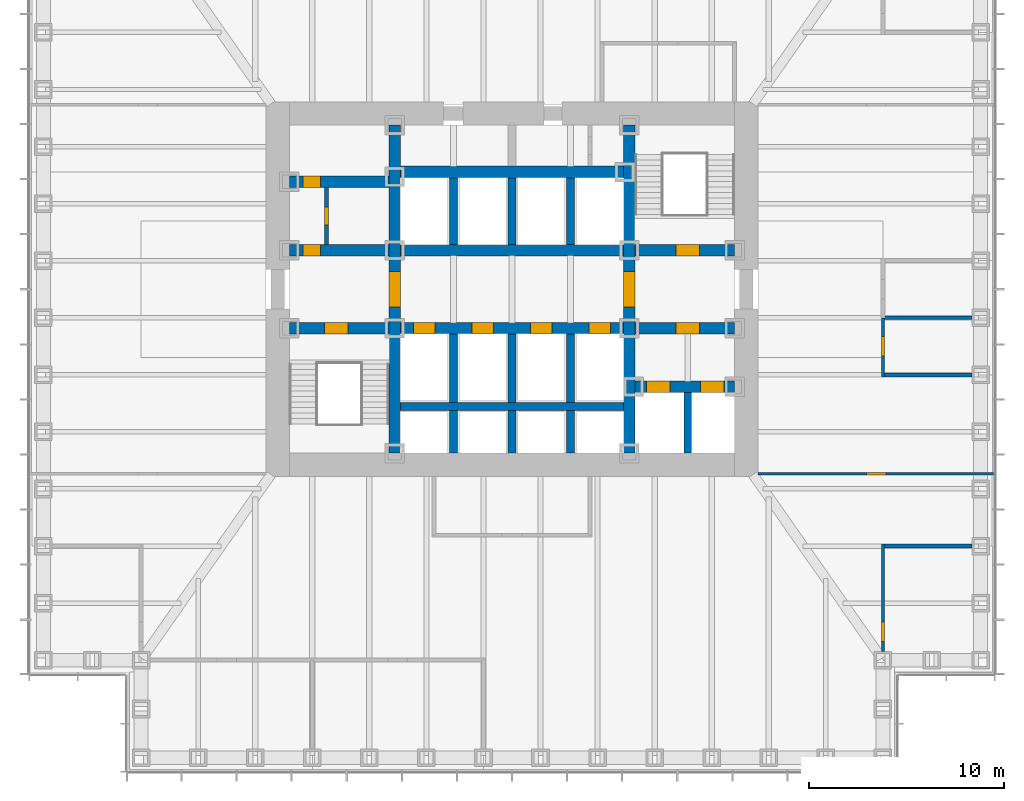
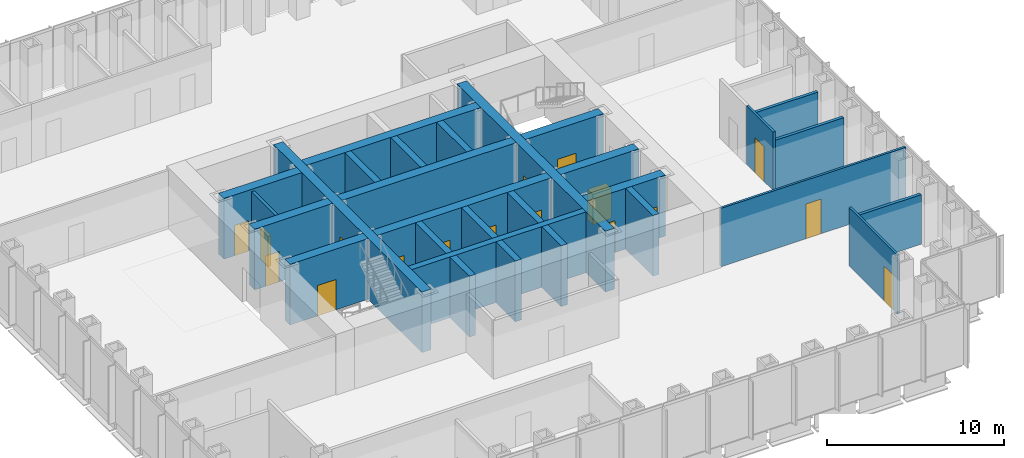
# One storey, part 9 of 17: 29 walls, 17 doors, 17 openings.
"""IFC4 building model written with IfcOpenShell, lengths in metres."""

from ifc_helpers import new_model, si_unit, direction, frame, frame_2d, origin, place, context, subcontext, project, spatial, rectangle, extrude, material, layer, layer_set, type_object, element, fill, save


model = new_model("IFC4")

# Units and contexts
model_context = context("Model", 3, precision=1e-05, world=origin(), true_north=direction((0.0, 1.0)))
body_context = subcontext(model_context, "Body", "Model", "MODEL_VIEW")
ifc_project = project(units=[si_unit("LENGTHUNIT", "METRE"), si_unit("AREAUNIT", "SQUARE_METRE"), si_unit("VOLUMEUNIT", "CUBIC_METRE"), si_unit("PLANEANGLEUNIT", "RADIAN"), si_unit("MASSUNIT", "GRAM", prefix="KILO")], contexts=[model_context])

# Site, building, storey
site_placement = place(None, origin())
site = spatial("IfcSite", under=ifc_project, at=site_placement, CompositionType="ELEMENT")
building_placement = place(site_placement, origin())
building = spatial("IfcBuilding", under=site, at=building_placement, Name="Daluyong Arena Tower", CompositionType="ELEMENT")
storey_placement = place(building_placement, frame((0.0, 0.0, 60.10009765625)))
storey = spatial("IfcBuildingStorey", under=building, at=storey_placement, Name="L12", CompositionType="ELEMENT", Elevation=60.10009765625)

# Wall, opening, door
ifc_material_1 = material(Name="Concrete fc' 60 MPa", Category="concrete")
ifc_layer_1 = layer(ifc_material_1, 0.60009765625)
ifc_layer_set_1 = layer_set([ifc_layer_1], Name="Concrete fc' 60 MPa")
wall_type_1 = type_object("IfcWallType", Name="Core inner wall 600", PredefinedType="SHEAR", material=ifc_layer_set_1)
wall_1_placement = place(storey_placement, frame((50.0, 71.60009765625, 0.0), z_axis=(0.0, 0.0, 1.0), x_axis=(0.0, 1.0, 0.0)))
wall_1 = element("IfcWall", 1, at=wall_1_placement, inside=storey, type_object=wall_type_1, Name="core inner wall at L12", PredefinedType="SHEAR", context=body_context, shape_type="SweptSolid", body=[
    extrude(rectangle(XDim=16.7998046875, YDim=0.60009765625, at=frame_2d((8.39990234375, 0.0))), origin(), (0.0, 0.0, 1.0), 4.199951171875),
])
opening_1_placement = place(wall_1_placement, frame((7.5, 0.0, 0.0)))
opening_1 = element("IfcOpeningElement", 2, at=opening_1_placement, cuts=wall_1, Name="Opening 12011", PredefinedType="OPENING", context=body_context, shape_type="SweptSolid", body=[
    extrude(rectangle(XDim=1.800048828125, YDim=2.39990234375, at=frame_2d((0.89990234375, 1.199951171875))), frame((0.0, 0.31005859375, 0.0), z_axis=(0.0, -1.0, 0.0), x_axis=(1.0, 0.0, 0.0)), (0.0, 0.0, 1.0), 0.6201171875),
])
ifc_material_2 = material(Name="Steel door, fire rated", Category="steel")
door_type_1 = type_object("IfcDoorType", Name="Lift lobby opening door 1800", OperationType="DOUBLE_DOOR_SINGLE_SWING", PredefinedType="DOOR", material=ifc_material_2)
door_1_placement = place(opening_1_placement, origin())
door_1 = element("IfcDoor", 3, at=door_1_placement, inside=storey, type_object=door_type_1, Name="lift lobby door west 12011", OperationType="DOUBLE_DOOR_SINGLE_SWING", OverallHeight=2.39990234375, OverallWidth=1.800048828125, PredefinedType="DOOR", context=body_context, shape_type="SweptSolid", body=[
    extrude(rectangle(XDim=1.800048828125, YDim=2.39990234375, at=frame_2d((0.89990234375, 1.199951171875))), frame((0.0, 0.2998046875, 0.0), z_axis=(0.0, -1.0, 0.0), x_axis=(1.0, 0.0, 0.0)), (0.0, 0.0, 1.0), 0.599609375),
])
fill(opening_1, door_1)

wall_2_placement = place(storey_placement, frame((62.0, 71.60009765625, 0.0), z_axis=(0.0, 0.0, 1.0), x_axis=(0.0, 1.0, 0.0)))
wall_2 = element("IfcWall", 4, at=wall_2_placement, inside=storey, type_object=wall_type_1, Name="core inner wall at L12", PredefinedType="SHEAR", context=body_context, shape_type="SweptSolid", body=[
    extrude(rectangle(XDim=16.7998046875, YDim=0.60009765625, at=frame_2d((8.39990234375, 0.0))), origin(), (0.0, 0.0, 1.0), 4.199951171875),
])
opening_2_placement = place(wall_2_placement, frame((7.5, 0.0, 0.0)))
opening_2 = element("IfcOpeningElement", 5, at=opening_2_placement, cuts=wall_2, Name="Opening 12012", PredefinedType="OPENING", context=body_context, shape_type="SweptSolid", body=[
    extrude(rectangle(XDim=1.800048828125, YDim=2.39990234375, at=frame_2d((0.89990234375, 1.199951171875))), frame((0.0, 0.31005859375, 0.0), z_axis=(0.0, -1.0, 0.0), x_axis=(1.0, 0.0, 0.0)), (0.0, 0.0, 1.0), 0.6201171875),
])
door_2_placement = place(opening_2_placement, origin())
door_2 = element("IfcDoor", 6, at=door_2_placement, inside=storey, type_object=door_type_1, Name="lift lobby door east 12012", OperationType="DOUBLE_DOOR_SINGLE_SWING", OverallHeight=2.39990234375, OverallWidth=1.800048828125, PredefinedType="DOOR", context=body_context, shape_type="SweptSolid", body=[
    extrude(rectangle(XDim=1.800048828125, YDim=2.39990234375, at=frame_2d((0.89990234375, 1.199951171875))), frame((0.0, 0.2998046875, 0.0), z_axis=(0.0, -1.0, 0.0), x_axis=(1.0, 0.0, 0.0)), (0.0, 0.0, 1.0), 0.599609375),
])
fill(opening_2, door_2)

wall_3_placement = place(storey_placement, frame((44.60009765625, 78.0, 0.0), z_axis=(0.0, 0.0, 1.0), x_axis=(1.0, 0.0, 0.0)))
wall_3 = element("IfcWall", 7, at=wall_3_placement, inside=storey, type_object=wall_type_1, Name="core inner wall at L12", PredefinedType="SHEAR", context=body_context, shape_type="SweptSolid", body=[
    extrude(rectangle(XDim=5.099853515625, YDim=0.60009765625, at=frame_2d((2.5498046875, 0.0))), origin(), (0.0, 0.0, 1.0), 4.199951171875),
])
opening_3_placement = place(wall_3_placement, frame((1.800048828125, 0.0, 0.0)))
opening_3 = element("IfcOpeningElement", 8, at=opening_3_placement, cuts=wall_3, Name="Opening 12007", PredefinedType="OPENING", context=body_context, shape_type="SweptSolid", body=[
    extrude(rectangle(XDim=1.199951171875, YDim=2.10009765625, at=frame_2d((0.60009765625, 1.050048828125))), frame((0.0, 0.31005859375, 0.0), z_axis=(0.0, -1.0, 0.0), x_axis=(1.0, 0.0, 0.0)), (0.0, 0.0, 1.0), 0.6201171875),
])
ifc_material_3 = material(Name="Steel door, fire rated", Category="steel")
door_type_2 = type_object("IfcDoorType", Name="Stair door 1200", OperationType="SINGLE_SWING_LEFT", PredefinedType="DOOR", material=ifc_material_3)
door_3_placement = place(opening_3_placement, origin())
door_3 = element("IfcDoor", 9, at=door_3_placement, inside=storey, type_object=door_type_2, Name="stair A door 12007", OperationType="SINGLE_SWING_LEFT", OverallHeight=2.10009765625, OverallWidth=1.199951171875, PredefinedType="DOOR", context=body_context, shape_type="SweptSolid", body=[
    extrude(rectangle(XDim=1.199951171875, YDim=2.10009765625, at=frame_2d((0.60009765625, 1.050048828125))), frame((0.0, 0.2998046875, 0.0), z_axis=(0.0, -1.0, 0.0), x_axis=(1.0, 0.0, 0.0)), (0.0, 0.0, 1.0), 0.599609375),
])
fill(opening_3, door_3)

wall_4_placement = place(storey_placement, frame((44.60009765625, 82.0, 0.0), z_axis=(0.0, 0.0, 1.0), x_axis=(1.0, 0.0, 0.0)))
wall_4 = element("IfcWall", 10, at=wall_4_placement, inside=storey, type_object=wall_type_1, Name="core inner wall at L12", PredefinedType="SHEAR", context=body_context, shape_type="SweptSolid", body=[
    extrude(rectangle(XDim=5.099853515625, YDim=0.60009765625, at=frame_2d((2.5498046875, 0.0))), origin(), (0.0, 0.0, 1.0), 4.199951171875),
])
opening_4_placement = place(wall_4_placement, frame((0.699951171875, 0.0, 0.0)))
opening_4 = element("IfcOpeningElement", 11, at=opening_4_placement, cuts=wall_4, Name="Opening 12001", PredefinedType="OPENING", context=body_context, shape_type="SweptSolid", body=[
    extrude(rectangle(XDim=0.89990234375, YDim=2.10009765625, at=frame_2d((0.449951171875, 1.050048828125))), frame((0.0, 0.31005859375, 0.0), z_axis=(0.0, -1.0, 0.0), x_axis=(1.0, 0.0, 0.0)), (0.0, 0.0, 1.0), 0.6201171875),
])
ifc_material_4 = material(Name="Steel door, fire rated", Category="steel")
door_type_3 = type_object("IfcDoorType", Name="Core room door 900", OperationType="SINGLE_SWING_LEFT", PredefinedType="DOOR", material=ifc_material_4)
door_4_placement = place(opening_4_placement, origin())
door_4 = element("IfcDoor", 12, at=door_4_placement, inside=storey, type_object=door_type_3, Name="toilet lobby door 12001", OperationType="SINGLE_SWING_LEFT", OverallHeight=2.10009765625, OverallWidth=0.89990234375, PredefinedType="DOOR", context=body_context, shape_type="SweptSolid", body=[
    extrude(rectangle(XDim=0.89990234375, YDim=2.10009765625, at=frame_2d((0.449951171875, 1.050048828125))), frame((0.0, 0.2998046875, 0.0), z_axis=(0.0, -1.0, 0.0), x_axis=(1.0, 0.0, 0.0)), (0.0, 0.0, 1.0), 0.599609375),
])
fill(opening_4, door_4)

wall_5_placement = place(storey_placement, frame((44.60009765625, 85.5, 0.0), z_axis=(0.0, 0.0, 1.0), x_axis=(1.0, 0.0, 0.0)))
wall_5 = element("IfcWall", 13, at=wall_5_placement, inside=storey, type_object=wall_type_1, Name="core inner wall at L12", PredefinedType="SHEAR", context=body_context, shape_type="SweptSolid", body=[
    extrude(rectangle(XDim=5.099853515625, YDim=0.60009765625, at=frame_2d((2.5498046875, 0.0))), origin(), (0.0, 0.0, 1.0), 4.199951171875),
])
opening_5_placement = place(wall_5_placement, frame((0.699951171875, 0.0, 0.0)))
opening_5 = element("IfcOpeningElement", 14, at=opening_5_placement, cuts=wall_5, Name="Opening 12003", PredefinedType="OPENING", context=body_context, shape_type="SweptSolid", body=[
    extrude(rectangle(XDim=0.89990234375, YDim=2.10009765625, at=frame_2d((0.449951171875, 1.050048828125))), frame((0.0, 0.31005859375, 0.0), z_axis=(0.0, -1.0, 0.0), x_axis=(1.0, 0.0, 0.0)), (0.0, 0.0, 1.0), 0.6201171875),
])
ifc_material_5 = material(Name="Timber door", Category="wood")
door_type_4 = type_object("IfcDoorType", Name="Toilet door 900", OperationType="SINGLE_SWING_RIGHT", PredefinedType="DOOR", material=ifc_material_5)
door_5_placement = place(opening_5_placement, origin())
door_5 = element("IfcDoor", 15, at=door_5_placement, inside=storey, type_object=door_type_4, Name="female toilet door 12003", OperationType="SINGLE_SWING_RIGHT", OverallHeight=2.10009765625, OverallWidth=0.89990234375, PredefinedType="DOOR", context=body_context, shape_type="SweptSolid", body=[
    extrude(rectangle(XDim=0.89990234375, YDim=2.10009765625, at=frame_2d((0.449951171875, 1.050048828125))), frame((0.0, 0.2998046875, 0.0), z_axis=(0.0, -1.0, 0.0), x_axis=(1.0, 0.0, 0.0)), (0.0, 0.0, 1.0), 0.599609375),
])
fill(opening_5, door_5)

# Wall, openings, doors
wall_6_placement = place(storey_placement, frame((62.300048828125, 75.0, 0.0), z_axis=(0.0, 0.0, 1.0), x_axis=(1.0, 0.0, 0.0)))
wall_6 = element("IfcWall", 16, at=wall_6_placement, inside=storey, type_object=wall_type_1, Name="core inner wall at L12", PredefinedType="SHEAR", context=body_context, shape_type="SweptSolid", body=[
    extrude(rectangle(XDim=5.099853515625, YDim=0.60009765625, at=frame_2d((2.5498046875, 0.0))), origin(), (0.0, 0.0, 1.0), 4.199951171875),
])
opening_6_placement = place(wall_6_placement, frame((0.60009765625, 0.0, 0.0)))
opening_6 = element("IfcOpeningElement", 17, at=opening_6_placement, cuts=wall_6, Name="Opening 12018", PredefinedType="OPENING", context=body_context, shape_type="SweptSolid", body=[
    extrude(rectangle(XDim=1.199951171875, YDim=2.199951171875, at=frame_2d((0.60009765625, 1.10009765625))), frame((0.0, 0.31005859375, 0.0), z_axis=(0.0, -1.0, 0.0), x_axis=(1.0, 0.0, 0.0)), (0.0, 0.0, 1.0), 0.6201171875),
])
opening_7_placement = place(wall_6_placement, frame((3.35009765625, 0.0, 0.0)))
opening_7 = element("IfcOpeningElement", 18, at=opening_7_placement, cuts=wall_6, Name="Opening 12019", PredefinedType="OPENING", context=body_context, shape_type="SweptSolid", body=[
    extrude(rectangle(XDim=1.199951171875, YDim=2.199951171875, at=frame_2d((0.60009765625, 1.10009765625))), frame((0.0, 0.31005859375, 0.0), z_axis=(0.0, -1.0, 0.0), x_axis=(1.0, 0.0, 0.0)), (0.0, 0.0, 1.0), 0.6201171875),
])
ifc_material_6 = material(Name="Steel door, fire rated", Category="steel")
door_type_5 = type_object("IfcDoorType", Name="Firefighting lift landing door 1200", OperationType="SLIDING_TO_LEFT", PredefinedType="DOOR", material=ifc_material_6)
door_6_placement = place(opening_6_placement, origin())
door_6 = element("IfcDoor", 19, at=door_6_placement, inside=storey, type_object=door_type_5, Name="firefighting lift landing door F1 12018", OperationType="SLIDING_TO_LEFT", OverallHeight=2.199951171875, OverallWidth=1.199951171875, PredefinedType="DOOR", context=body_context, shape_type="SweptSolid", body=[
    extrude(rectangle(XDim=1.199951171875, YDim=2.199951171875, at=frame_2d((0.60009765625, 1.10009765625))), frame((0.0, 0.2998046875, 0.0), z_axis=(0.0, -1.0, 0.0), x_axis=(1.0, 0.0, 0.0)), (0.0, 0.0, 1.0), 0.599609375),
])
fill(opening_6, door_6)
door_7_placement = place(opening_7_placement, origin())
door_7 = element("IfcDoor", 20, at=door_7_placement, inside=storey, type_object=door_type_5, Name="firefighting lift landing door F2 12019", OperationType="SLIDING_TO_LEFT", OverallHeight=2.199951171875, OverallWidth=1.199951171875, PredefinedType="DOOR", context=body_context, shape_type="SweptSolid", body=[
    extrude(rectangle(XDim=1.199951171875, YDim=2.199951171875, at=frame_2d((0.60009765625, 1.10009765625))), frame((0.0, 0.2998046875, 0.0), z_axis=(0.0, -1.0, 0.0), x_axis=(1.0, 0.0, 0.0)), (0.0, 0.0, 1.0), 0.599609375),
])
fill(opening_7, door_7)

# Wall, opening, door
wall_7_placement = place(storey_placement, frame((62.300048828125, 78.0, 0.0), z_axis=(0.0, 0.0, 1.0), x_axis=(1.0, 0.0, 0.0)))
wall_7 = element("IfcWall", 21, at=wall_7_placement, inside=storey, type_object=wall_type_1, Name="core inner wall at L12", PredefinedType="SHEAR", context=body_context, shape_type="SweptSolid", body=[
    extrude(rectangle(XDim=5.099853515625, YDim=0.60009765625, at=frame_2d((2.5498046875, 0.0))), origin(), (0.0, 0.0, 1.0), 4.199951171875),
])
opening_8_placement = place(wall_7_placement, frame((2.10009765625, 0.0, 0.0)))
opening_8 = element("IfcOpeningElement", 22, at=opening_8_placement, cuts=wall_7, Name="Opening 12013", PredefinedType="OPENING", context=body_context, shape_type="SweptSolid", body=[
    extrude(rectangle(XDim=1.199951171875, YDim=2.10009765625, at=frame_2d((0.60009765625, 1.050048828125))), frame((0.0, 0.31005859375, 0.0), z_axis=(0.0, -1.0, 0.0), x_axis=(1.0, 0.0, 0.0)), (0.0, 0.0, 1.0), 0.6201171875),
])
ifc_material_7 = material(Name="Steel door, fire rated", Category="steel")
door_type_6 = type_object("IfcDoorType", Name="Firefighting lobby door 1200", OperationType="SINGLE_SWING_RIGHT", PredefinedType="DOOR", material=ifc_material_7)
door_8_placement = place(opening_8_placement, origin())
door_8 = element("IfcDoor", 23, at=door_8_placement, inside=storey, type_object=door_type_6, Name="firefighting lobby door 12013", OperationType="SINGLE_SWING_RIGHT", OverallHeight=2.10009765625, OverallWidth=1.199951171875, PredefinedType="DOOR", context=body_context, shape_type="SweptSolid", body=[
    extrude(rectangle(XDim=1.199951171875, YDim=2.10009765625, at=frame_2d((0.60009765625, 1.050048828125))), frame((0.0, 0.2998046875, 0.0), z_axis=(0.0, -1.0, 0.0), x_axis=(1.0, 0.0, 0.0)), (0.0, 0.0, 1.0), 0.599609375),
])
fill(opening_8, door_8)

wall_8_placement = place(storey_placement, frame((62.300048828125, 82.0, 0.0), z_axis=(0.0, 0.0, 1.0), x_axis=(1.0, 0.0, 0.0)))
wall_8 = element("IfcWall", 24, at=wall_8_placement, inside=storey, type_object=wall_type_1, Name="core inner wall at L12", PredefinedType="SHEAR", context=body_context, shape_type="SweptSolid", body=[
    extrude(rectangle(XDim=5.099853515625, YDim=0.60009765625, at=frame_2d((2.5498046875, 0.0))), origin(), (0.0, 0.0, 1.0), 4.199951171875),
])
opening_9_placement = place(wall_8_placement, frame((2.10009765625, 0.0, 0.0)))
opening_9 = element("IfcOpeningElement", 25, at=opening_9_placement, cuts=wall_8, Name="Opening 12008", PredefinedType="OPENING", context=body_context, shape_type="SweptSolid", body=[
    extrude(rectangle(XDim=1.199951171875, YDim=2.10009765625, at=frame_2d((0.60009765625, 1.050048828125))), frame((0.0, 0.31005859375, 0.0), z_axis=(0.0, -1.0, 0.0), x_axis=(1.0, 0.0, 0.0)), (0.0, 0.0, 1.0), 0.6201171875),
])
door_9_placement = place(opening_9_placement, origin())
door_9 = element("IfcDoor", 26, at=door_9_placement, inside=storey, type_object=door_type_2, Name="stair B door 12008", OperationType="SINGLE_SWING_LEFT", OverallHeight=2.10009765625, OverallWidth=1.199951171875, PredefinedType="DOOR", context=body_context, shape_type="SweptSolid", body=[
    extrude(rectangle(XDim=1.199951171875, YDim=2.10009765625, at=frame_2d((0.60009765625, 1.050048828125))), frame((0.0, 0.2998046875, 0.0), z_axis=(0.0, -1.0, 0.0), x_axis=(1.0, 0.0, 0.0)), (0.0, 0.0, 1.0), 0.599609375),
])
fill(opening_9, door_9)

# Wall, openings, doors
wall_9_placement = place(storey_placement, frame((50.300048828125, 78.0, 0.0), z_axis=(0.0, 0.0, 1.0), x_axis=(1.0, 0.0, 0.0)))
wall_9 = element("IfcWall", 27, at=wall_9_placement, inside=storey, type_object=wall_type_1, Name="core inner wall at L12", PredefinedType="SHEAR", context=body_context, shape_type="SweptSolid", body=[
    extrude(rectangle(XDim=11.39990234375, YDim=0.60009765625, at=frame_2d((5.699951171875, 0.0))), origin(), (0.0, 0.0, 1.0), 4.199951171875),
])
opening_10_placement = place(wall_9_placement, frame((0.64990234375, 0.0, 0.0)))
opening_10 = element("IfcOpeningElement", 28, at=opening_10_placement, cuts=wall_9, Name="Opening 12014", PredefinedType="OPENING", context=body_context, shape_type="SweptSolid", body=[
    extrude(rectangle(XDim=1.10009765625, YDim=2.199951171875, at=frame_2d((0.550048828125, 1.10009765625))), frame((0.0, 0.31005859375, 0.0), z_axis=(0.0, -1.0, 0.0), x_axis=(1.0, 0.0, 0.0)), (0.0, 0.0, 1.0), 0.6201171875),
])
opening_11_placement = place(wall_9_placement, frame((3.64990234375, 0.0, 0.0)))
opening_11 = element("IfcOpeningElement", 29, at=opening_11_placement, cuts=wall_9, Name="Opening 12015", PredefinedType="OPENING", context=body_context, shape_type="SweptSolid", body=[
    extrude(rectangle(XDim=1.10009765625, YDim=2.199951171875, at=frame_2d((0.550048828125, 1.10009765625))), frame((0.0, 0.31005859375, 0.0), z_axis=(0.0, -1.0, 0.0), x_axis=(1.0, 0.0, 0.0)), (0.0, 0.0, 1.0), 0.6201171875),
])
opening_12_placement = place(wall_9_placement, frame((6.64990234375, 0.0, 0.0)))
opening_12 = element("IfcOpeningElement", 30, at=opening_12_placement, cuts=wall_9, Name="Opening 12016", PredefinedType="OPENING", context=body_context, shape_type="SweptSolid", body=[
    extrude(rectangle(XDim=1.10009765625, YDim=2.199951171875, at=frame_2d((0.550048828125, 1.10009765625))), frame((0.0, 0.31005859375, 0.0), z_axis=(0.0, -1.0, 0.0), x_axis=(1.0, 0.0, 0.0)), (0.0, 0.0, 1.0), 0.6201171875),
])
opening_13_placement = place(wall_9_placement, frame((9.64990234375, 0.0, 0.0)))
opening_13 = element("IfcOpeningElement", 31, at=opening_13_placement, cuts=wall_9, Name="Opening 12017", PredefinedType="OPENING", context=body_context, shape_type="SweptSolid", body=[
    extrude(rectangle(XDim=1.10009765625, YDim=2.199951171875, at=frame_2d((0.550048828125, 1.10009765625))), frame((0.0, 0.31005859375, 0.0), z_axis=(0.0, -1.0, 0.0), x_axis=(1.0, 0.0, 0.0)), (0.0, 0.0, 1.0), 0.6201171875),
])
ifc_material_8 = material(Name="Steel door, fire rated", Category="steel")
door_type_7 = type_object("IfcDoorType", Name="Lift landing door 1100", OperationType="SLIDING_TO_LEFT", PredefinedType="DOOR", material=ifc_material_8)
door_10_placement = place(opening_10_placement, origin())
door_10 = element("IfcDoor", 32, at=door_10_placement, inside=storey, type_object=door_type_7, Name="lift landing door A1 12014", OperationType="SLIDING_TO_LEFT", OverallHeight=2.199951171875, OverallWidth=1.10009765625, PredefinedType="DOOR", context=body_context, shape_type="SweptSolid", body=[
    extrude(rectangle(XDim=1.10009765625, YDim=2.199951171875, at=frame_2d((0.550048828125, 1.10009765625))), frame((0.0, 0.2998046875, 0.0), z_axis=(0.0, -1.0, 0.0), x_axis=(1.0, 0.0, 0.0)), (0.0, 0.0, 1.0), 0.599609375),
])
fill(opening_10, door_10)
door_11_placement = place(opening_11_placement, origin())
door_11 = element("IfcDoor", 33, at=door_11_placement, inside=storey, type_object=door_type_7, Name="lift landing door A2 12015", OperationType="SLIDING_TO_LEFT", OverallHeight=2.199951171875, OverallWidth=1.10009765625, PredefinedType="DOOR", context=body_context, shape_type="SweptSolid", body=[
    extrude(rectangle(XDim=1.10009765625, YDim=2.199951171875, at=frame_2d((0.550048828125, 1.10009765625))), frame((0.0, 0.2998046875, 0.0), z_axis=(0.0, -1.0, 0.0), x_axis=(1.0, 0.0, 0.0)), (0.0, 0.0, 1.0), 0.599609375),
])
fill(opening_11, door_11)
door_12_placement = place(opening_12_placement, origin())
door_12 = element("IfcDoor", 34, at=door_12_placement, inside=storey, type_object=door_type_7, Name="lift landing door A3 12016", OperationType="SLIDING_TO_LEFT", OverallHeight=2.199951171875, OverallWidth=1.10009765625, PredefinedType="DOOR", context=body_context, shape_type="SweptSolid", body=[
    extrude(rectangle(XDim=1.10009765625, YDim=2.199951171875, at=frame_2d((0.550048828125, 1.10009765625))), frame((0.0, 0.2998046875, 0.0), z_axis=(0.0, -1.0, 0.0), x_axis=(1.0, 0.0, 0.0)), (0.0, 0.0, 1.0), 0.599609375),
])
fill(opening_12, door_12)
door_13_placement = place(opening_13_placement, origin())
door_13 = element("IfcDoor", 35, at=door_13_placement, inside=storey, type_object=door_type_7, Name="lift landing door A4 12017", OperationType="SLIDING_TO_LEFT", OverallHeight=2.199951171875, OverallWidth=1.10009765625, PredefinedType="DOOR", context=body_context, shape_type="SweptSolid", body=[
    extrude(rectangle(XDim=1.10009765625, YDim=2.199951171875, at=frame_2d((0.550048828125, 1.10009765625))), frame((0.0, 0.2998046875, 0.0), z_axis=(0.0, -1.0, 0.0), x_axis=(1.0, 0.0, 0.0)), (0.0, 0.0, 1.0), 0.599609375),
])
fill(opening_13, door_13)

# Walls
for number, where, z_axis, x_axis, name in (
    (36, (50.300048828125, 82.0, 0.0), (0.0, 0.0, 1.0), (1.0, 0.0, 0.0), "core inner wall at L12"),
    (37, (50.300048828125, 86.0, 0.0), (0.0, 0.0, 1.0), (1.0, 0.0, 0.0), "core inner wall at L12"),
):
    element("IfcWall", number, at=place(storey_placement, frame(where, z_axis=z_axis, x_axis=x_axis)), inside=storey, type_object=wall_type_1, Name=name, PredefinedType="SHEAR", context=body_context, shape_type="SweptSolid", body=[
        extrude(rectangle(XDim=11.39990234375, YDim=0.60009765625, at=frame_2d((5.699951171875, 0.0))), origin(), (0.0, 0.0, 1.0), 4.199951171875),
    ])

# Wall, opening, door
ifc_material_9 = material(Name="Concrete block partition, fire rated", Category="concrete")
ifc_layer_2 = layer(ifc_material_9, 0.199951171875)
ifc_layer_set_2 = layer_set([ifc_layer_2], Name="Concrete block partition, fire rated")
wall_type_2 = type_object("IfcWallType", Name="Fire-rated partition 200", PredefinedType="PARTITIONING", material=ifc_layer_set_2)
wall_10_placement = place(storey_placement, frame((46.5, 82.300048828125, 0.0), z_axis=(0.0, 0.0, 1.0), x_axis=(0.0, 1.0, 0.0)))
wall_10 = element("IfcWall", 38, at=wall_10_placement, inside=storey, type_object=wall_type_2, Name="toilet lobby partition at L12", PredefinedType="PARTITIONING", context=body_context, shape_type="SweptSolid", body=[
    extrude(rectangle(XDim=2.89990234375, YDim=0.199951171875, at=frame_2d((1.449951171875, 0.0))), origin(), (0.0, 0.0, 1.0), 4.039794921875),
])
opening_14_placement = place(wall_10_placement, frame((1.0, 0.0, 0.0)))
opening_14 = element("IfcOpeningElement", 39, at=opening_14_placement, cuts=wall_10, Name="Opening 12002", PredefinedType="OPENING", context=body_context, shape_type="SweptSolid", body=[
    extrude(rectangle(XDim=0.89990234375, YDim=2.10009765625, at=frame_2d((0.449951171875, 1.050048828125))), frame((0.0, 0.10986328125, 0.0), z_axis=(0.0, -1.0, 0.0), x_axis=(1.0, 0.0, 0.0)), (0.0, 0.0, 1.0), 0.219970703125),
])
door_14_placement = place(opening_14_placement, origin())
door_14 = element("IfcDoor", 40, at=door_14_placement, inside=storey, type_object=door_type_4, Name="male toilet door 12002", OperationType="SINGLE_SWING_RIGHT", OverallHeight=2.10009765625, OverallWidth=0.89990234375, PredefinedType="DOOR", context=body_context, shape_type="SweptSolid", body=[
    extrude(rectangle(XDim=0.89990234375, YDim=2.10009765625, at=frame_2d((0.449951171875, 1.050048828125))), frame((0.0, 0.099609375, 0.0), z_axis=(0.0, -1.0, 0.0), x_axis=(1.0, 0.0, 0.0)), (0.0, 0.0, 1.0), 0.199462890625),
])
fill(opening_14, door_14)

ifc_material_10 = material(Name="Glazed aluminium partition", Category="aluminium")
ifc_layer_3 = layer(ifc_material_10, 0.14990234375)
ifc_layer_set_3 = layer_set([ifc_layer_3], Name="Glazed aluminium partition")
wall_type_3 = type_object("IfcWallType", Name="Glazed partition 150", PredefinedType="PARTITIONING", material=ifc_layer_set_3)
wall_11_placement = place(storey_placement, frame((68.60009765625, 70.550048828125, 0.0), z_axis=(0.0, 0.0, 1.0), x_axis=(1.0, 0.0, 0.0)))
wall_11 = element("IfcWall", 41, at=wall_11_placement, inside=storey, type_object=wall_type_3, Name="glazed partition at L12", PredefinedType="PARTITIONING", context=body_context, shape_type="SweptSolid", body=[
    extrude(rectangle(XDim=12.08984375, YDim=0.14990234375, at=frame_2d((6.044921875, 0.0))), origin(), (0.0, 0.0, 1.0), 4.039794921875),
])
opening_15_placement = place(wall_11_placement, frame((5.544921875, 0.0, 0.0)))
opening_15 = element("IfcOpeningElement", 42, at=opening_15_placement, cuts=wall_11, Name="Opening 12038", PredefinedType="OPENING", context=body_context, shape_type="SweptSolid", body=[
    extrude(rectangle(XDim=1.0, YDim=2.39990234375, at=frame_2d((0.5, 1.199951171875))), frame((0.0, 0.0849609375, 0.0), z_axis=(0.0, -1.0, 0.0), x_axis=(1.0, 0.0, 0.0)), (0.0, 0.0, 1.0), 0.169921875),
])
ifc_material_11 = material(Name="Glazed aluminium door", Category="aluminium")
door_type_8 = type_object("IfcDoorType", Name="Meeting room glazed door 1000", OperationType="SINGLE_SWING_RIGHT", PredefinedType="DOOR", material=ifc_material_11)
door_15_placement = place(opening_15_placement, origin())
door_15 = element("IfcDoor", 43, at=door_15_placement, inside=storey, type_object=door_type_8, Name="team area screen door 12038", OperationType="SINGLE_SWING_RIGHT", OverallHeight=2.39990234375, OverallWidth=1.0, PredefinedType="DOOR", context=body_context, shape_type="SweptSolid", body=[
    extrude(rectangle(XDim=1.0, YDim=2.39990234375, at=frame_2d((0.5, 1.199951171875))), frame((0.0, 0.07470703125, 0.0), z_axis=(0.0, -1.0, 0.0), x_axis=(1.0, 0.0, 0.0)), (0.0, 0.0, 1.0), 0.1494140625),
])
fill(opening_15, door_15)

wall_12_placement = place(storey_placement, frame((75.0, 61.449951171875, 0.0), z_axis=(0.0, 0.0, 1.0), x_axis=(0.0, 1.0, 0.0)))
wall_12 = element("IfcWall", 44, at=wall_12_placement, inside=storey, type_object=wall_type_3, Name="glazed partition at L12", PredefinedType="PARTITIONING", context=body_context, shape_type="SweptSolid", body=[
    extrude(rectangle(XDim=5.49609375, YDim=0.14990234375, at=frame_2d((2.748046875, 0.0))), origin(), (0.0, 0.0, 1.0), 4.039794921875),
])
opening_16_placement = place(wall_12_placement, frame((0.511474609375, 0.0, 0.0)))
opening_16 = element("IfcOpeningElement", 45, at=opening_16_placement, cuts=wall_12, Name="Opening 12022", PredefinedType="OPENING", context=body_context, shape_type="SweptSolid", body=[
    extrude(rectangle(XDim=1.0, YDim=2.39990234375, at=frame_2d((0.5, 1.199951171875))), frame((0.0, 0.0849609375, 0.0), z_axis=(0.0, -1.0, 0.0), x_axis=(1.0, 0.0, 0.0)), (0.0, 0.0, 1.0), 0.169921875),
])
door_16_placement = place(opening_16_placement, origin())
door_16 = element("IfcDoor", 46, at=door_16_placement, inside=storey, type_object=door_type_8, Name="meeting room door 12022", OperationType="SINGLE_SWING_RIGHT", OverallHeight=2.39990234375, OverallWidth=1.0, PredefinedType="DOOR", context=body_context, shape_type="SweptSolid", body=[
    extrude(rectangle(XDim=1.0, YDim=2.39990234375, at=frame_2d((0.5, 1.199951171875))), frame((0.0, 0.07470703125, 0.0), z_axis=(0.0, -1.0, 0.0), x_axis=(1.0, 0.0, 0.0)), (0.0, 0.0, 1.0), 0.1494140625),
])
fill(opening_16, door_16)

wall_13_placement = place(storey_placement, frame((75.0, 75.515380859375, 0.0), z_axis=(0.0, 0.0, 1.0), x_axis=(0.0, 1.0, 0.0)))
wall_13 = element("IfcWall", 47, at=wall_13_placement, inside=storey, type_object=wall_type_3, Name="glazed partition at L12", PredefinedType="PARTITIONING", context=body_context, shape_type="SweptSolid", body=[
    extrude(rectangle(XDim=3.023193359375, YDim=0.14990234375, at=frame_2d((1.51171875, 0.0))), origin(), (0.0, 0.0, 1.0), 4.039794921875),
])
opening_17_placement = place(wall_13_placement, frame((1.0615234375, 0.0, 0.0)))
opening_17 = element("IfcOpeningElement", 48, at=opening_17_placement, cuts=wall_13, Name="Opening 12023", PredefinedType="OPENING", context=body_context, shape_type="SweptSolid", body=[
    extrude(rectangle(XDim=1.0, YDim=2.39990234375, at=frame_2d((0.5, 1.199951171875))), frame((0.0, 0.0849609375, 0.0), z_axis=(0.0, -1.0, 0.0), x_axis=(1.0, 0.0, 0.0)), (0.0, 0.0, 1.0), 0.169921875),
])
door_17_placement = place(opening_17_placement, origin())
door_17 = element("IfcDoor", 49, at=door_17_placement, inside=storey, type_object=door_type_8, Name="focus room door 12023", OperationType="SINGLE_SWING_RIGHT", OverallHeight=2.39990234375, OverallWidth=1.0, PredefinedType="DOOR", context=body_context, shape_type="SweptSolid", body=[
    extrude(rectangle(XDim=1.0, YDim=2.39990234375, at=frame_2d((0.5, 1.199951171875))), frame((0.0, 0.07470703125, 0.0), z_axis=(0.0, -1.0, 0.0), x_axis=(1.0, 0.0, 0.0)), (0.0, 0.0, 1.0), 0.1494140625),
])
fill(opening_17, door_17)

# Walls
ifc_material_12 = material(Name="Concrete fc' 45 MPa", Category="concrete")
ifc_layer_4 = layer(ifc_material_12, 0.39990234375)
ifc_layer_set_4 = layer_set([ifc_layer_4], Name="Concrete fc' 45 MPa")
wall_type_4 = type_object("IfcWallType", Name="Lift shaft wall 400", PredefinedType="SHEAR", material=ifc_layer_set_4)
wall_14_placement = place(storey_placement, frame((50.300048828125, 74.0, 0.0), z_axis=(0.0, 0.0, 1.0), x_axis=(1.0, 0.0, 0.0)))
element("IfcWall", 50, at=wall_14_placement, inside=storey, type_object=wall_type_4, Name="lift shaft wall at L12", PredefinedType="SHEAR", context=body_context, shape_type="SweptSolid", body=[
    extrude(rectangle(XDim=11.39990234375, YDim=0.39990234375, at=frame_2d((5.699951171875, 0.0))), origin(), (0.0, 0.0, 1.0), 4.199951171875),
])
wall_15_placement = place(storey_placement, frame((53.0, 71.60009765625, 0.0), z_axis=(0.0, 0.0, 1.0), x_axis=(0.0, 1.0, 0.0)))
element("IfcWall", 51, at=wall_15_placement, inside=storey, type_object=wall_type_4, Name="lift shaft wall at L12", PredefinedType="SHEAR", context=body_context, shape_type="SweptSolid", body=[
    extrude(rectangle(XDim=2.199951171875, YDim=0.39990234375, at=frame_2d((1.10009765625, 0.0))), origin(), (0.0, 0.0, 1.0), 4.199951171875),
])
wall_16_placement = place(storey_placement, frame((53.0, 74.199951171875, 0.0), z_axis=(0.0, 0.0, 1.0), x_axis=(0.0, 1.0, 0.0)))
element("IfcWall", 52, at=wall_16_placement, inside=storey, type_object=wall_type_4, Name="lift shaft wall at L12", PredefinedType="SHEAR", context=body_context, shape_type="SweptSolid", body=[
    extrude(rectangle(XDim=3.5, YDim=0.39990234375, at=frame_2d((1.75, 0.0))), origin(), (0.0, 0.0, 1.0), 4.199951171875),
])
wall_17_placement = place(storey_placement, frame((53.0, 82.300048828125, 0.0), z_axis=(0.0, 0.0, 1.0), x_axis=(0.0, 1.0, 0.0)))
element("IfcWall", 53, at=wall_17_placement, inside=storey, type_object=wall_type_4, Name="lift shaft wall at L12", PredefinedType="SHEAR", context=body_context, shape_type="SweptSolid", body=[
    extrude(rectangle(XDim=3.39990234375, YDim=0.39990234375, at=frame_2d((1.699951171875, 0.0))), origin(), (0.0, 0.0, 1.0), 4.199951171875),
])
wall_18_placement = place(storey_placement, frame((56.0, 71.60009765625, 0.0), z_axis=(0.0, 0.0, 1.0), x_axis=(0.0, 1.0, 0.0)))
element("IfcWall", 54, at=wall_18_placement, inside=storey, type_object=wall_type_4, Name="lift shaft wall at L12", PredefinedType="SHEAR", context=body_context, shape_type="SweptSolid", body=[
    extrude(rectangle(XDim=2.199951171875, YDim=0.39990234375, at=frame_2d((1.10009765625, 0.0))), origin(), (0.0, 0.0, 1.0), 4.199951171875),
])
wall_19_placement = place(storey_placement, frame((56.0, 74.199951171875, 0.0), z_axis=(0.0, 0.0, 1.0), x_axis=(0.0, 1.0, 0.0)))
element("IfcWall", 55, at=wall_19_placement, inside=storey, type_object=wall_type_4, Name="lift shaft wall at L12", PredefinedType="SHEAR", context=body_context, shape_type="SweptSolid", body=[
    extrude(rectangle(XDim=3.5, YDim=0.39990234375, at=frame_2d((1.75, 0.0))), origin(), (0.0, 0.0, 1.0), 4.199951171875),
])
wall_20_placement = place(storey_placement, frame((56.0, 82.300048828125, 0.0), z_axis=(0.0, 0.0, 1.0), x_axis=(0.0, 1.0, 0.0)))
element("IfcWall", 56, at=wall_20_placement, inside=storey, type_object=wall_type_4, Name="lift shaft wall at L12", PredefinedType="SHEAR", context=body_context, shape_type="SweptSolid", body=[
    extrude(rectangle(XDim=3.39990234375, YDim=0.39990234375, at=frame_2d((1.699951171875, 0.0))), origin(), (0.0, 0.0, 1.0), 4.199951171875),
])
wall_21_placement = place(storey_placement, frame((59.0, 71.60009765625, 0.0), z_axis=(0.0, 0.0, 1.0), x_axis=(0.0, 1.0, 0.0)))
element("IfcWall", 57, at=wall_21_placement, inside=storey, type_object=wall_type_4, Name="lift shaft wall at L12", PredefinedType="SHEAR", context=body_context, shape_type="SweptSolid", body=[
    extrude(rectangle(XDim=2.199951171875, YDim=0.39990234375, at=frame_2d((1.10009765625, 0.0))), origin(), (0.0, 0.0, 1.0), 4.199951171875),
])
wall_22_placement = place(storey_placement, frame((59.0, 74.199951171875, 0.0), z_axis=(0.0, 0.0, 1.0), x_axis=(0.0, 1.0, 0.0)))
element("IfcWall", 58, at=wall_22_placement, inside=storey, type_object=wall_type_4, Name="lift shaft wall at L12", PredefinedType="SHEAR", context=body_context, shape_type="SweptSolid", body=[
    extrude(rectangle(XDim=3.5, YDim=0.39990234375, at=frame_2d((1.75, 0.0))), origin(), (0.0, 0.0, 1.0), 4.199951171875),
])
wall_23_placement = place(storey_placement, frame((59.0, 82.300048828125, 0.0), z_axis=(0.0, 0.0, 1.0), x_axis=(0.0, 1.0, 0.0)))
element("IfcWall", 59, at=wall_23_placement, inside=storey, type_object=wall_type_4, Name="lift shaft wall at L12", PredefinedType="SHEAR", context=body_context, shape_type="SweptSolid", body=[
    extrude(rectangle(XDim=3.39990234375, YDim=0.39990234375, at=frame_2d((1.699951171875, 0.0))), origin(), (0.0, 0.0, 1.0), 4.199951171875),
])
wall_24_placement = place(storey_placement, frame((65.0, 71.60009765625, 0.0), z_axis=(0.0, 0.0, 1.0), x_axis=(0.0, 1.0, 0.0)))
element("IfcWall", 60, at=wall_24_placement, inside=storey, type_object=wall_type_4, Name="lift shaft wall at L12", PredefinedType="SHEAR", context=body_context, shape_type="SweptSolid", body=[
    extrude(rectangle(XDim=3.099853515625, YDim=0.39990234375, at=frame_2d((1.5498046875, 0.0))), origin(), (0.0, 0.0, 1.0), 4.199951171875),
])
ifc_material_13 = material(Name="Concrete block partition", Category="concrete")
ifc_layer_5 = layer(ifc_material_13, 0.199951171875)
ifc_layer_set_5 = layer_set([ifc_layer_5], Name="Concrete block partition")
wall_type_5 = type_object("IfcWallType", Name="Partition 200", PredefinedType="PARTITIONING", material=ifc_layer_set_5)
for number, where, z_axis, x_axis, name in (
    (61, (75.0, 66.84619140625, 0.0), (0.0, 0.0, 1.0), (1.0, 0.0, 0.0), "partition at L12"),
    (62, (75.0, 75.615478515625, 0.0), (0.0, 0.0, 1.0), (1.0, 0.0, 0.0), "partition at L12"),
    (63, (75.0, 78.53857421875, 0.0), (0.0, 0.0, 1.0), (1.0, 0.0, 0.0), "partition at L12"),
):
    element("IfcWall", number, at=place(storey_placement, frame(where, z_axis=z_axis, x_axis=x_axis)), inside=storey, type_object=wall_type_5, Name=name, PredefinedType="PARTITIONING", context=body_context, shape_type="SweptSolid", body=[
        extrude(rectangle(XDim=4.550048828125, YDim=0.199951171875, at=frame_2d((2.27490234375, 0.0))), origin(), (0.0, 0.0, 1.0), 3.427734375),
    ])

save(model, "model.ifc")
